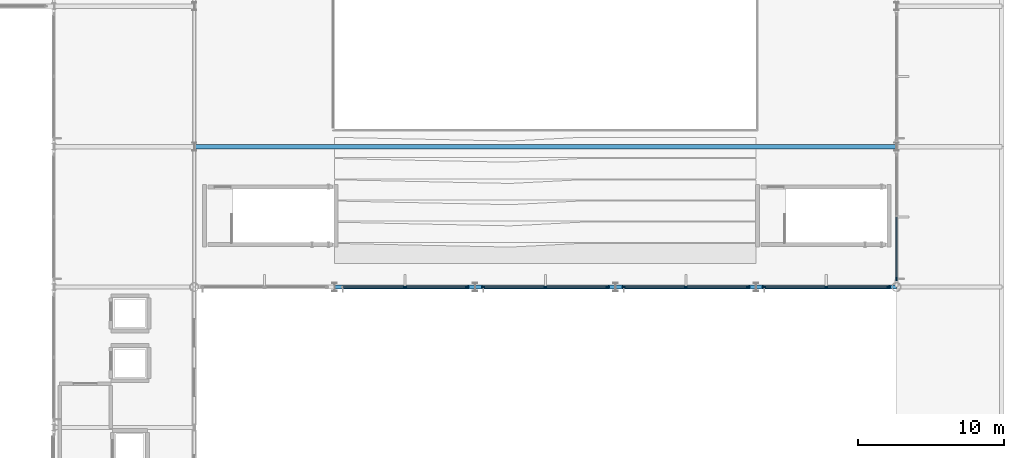
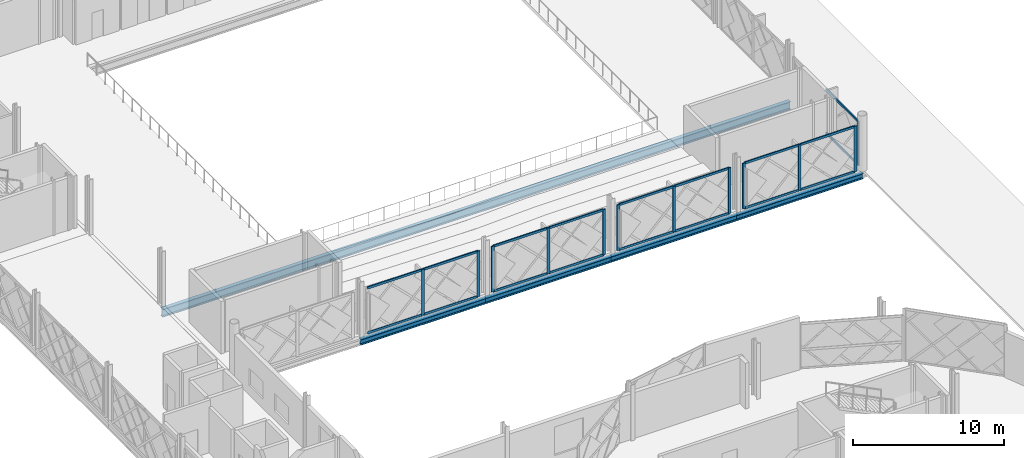
# One storey, part 55 of 101: 30 members, 5 beams, 5 elements without a shape of their own.
"""IFC4 building model written with IfcOpenShell, lengths in metres."""

from ifc_helpers import new_model, si_unit, direction, frame, origin, origin_2d, place, context, subcontext, project, spatial, rectangle, i_section, extrude, material, layer, layer_set, material_profile, profile_set, type_object, element, aggregate, save


model = new_model("IFC4")

# Units and contexts
model_context = context("Model", 3, precision=1e-05, world=origin(), true_north=direction((0.0, 1.0)))
body_context = subcontext(model_context, "Body", "Model", "MODEL_VIEW")
ifc_project = project(units=[si_unit("LENGTHUNIT", "METRE"), si_unit("AREAUNIT", "SQUARE_METRE"), si_unit("VOLUMEUNIT", "CUBIC_METRE"), si_unit("PLANEANGLEUNIT", "RADIAN"), si_unit("MASSUNIT", "GRAM", prefix="KILO")], contexts=[model_context])

# Site, building, storey
site_placement = place(None, origin())
site = spatial("IfcSite", under=ifc_project, at=site_placement, CompositionType="ELEMENT")
building_placement = place(site_placement, origin())
building = spatial("IfcBuilding", under=site, at=building_placement, Name="Zevrakil Square Congress Hotel", CompositionType="ELEMENT")
storey_placement = place(building_placement, frame((0.0, 0.0, 5.39990234375)))
storey = spatial("IfcBuildingStorey", under=building, at=storey_placement, Name="L02", CompositionType="ELEMENT", Elevation=5.39990234375)

# Beams
ifc_material_1 = material(Name="Steel S355", Category="steel")
ifc_material_profile_1 = material_profile(ifc_material_1, i_section(OverallWidth=0.300048828125, OverallDepth=0.43994140625, WebThickness=0.011474609375, FlangeThickness=0.02099609375, FilletRadius=0.027099609375, at=origin_2d()), Name="HEA 450")
ifc_profile_set_1 = profile_set([ifc_material_profile_1], Name="Steel S355")
beam_type_1 = type_object("IfcBeamType", Name="BM-HEA450", PredefinedType="BEAM", material=ifc_profile_set_1)
beam_1_placement = place(storey_placement, frame((127.199951171875, 64.800048828125, -0.47998046875), z_axis=(1.0, 0.0, 0.0), x_axis=(0.0, 1.0, 0.0)))
element("IfcBeam", 1, at=beam_1_placement, inside=storey, type_object=beam_type_1, Name="L02 primary girder BX-0755", PredefinedType="BEAM", context=body_context, shape_type="SweptSolid", body=[
    extrude(i_section(OverallWidth=0.300048828125, OverallDepth=0.43994140625, WebThickness=0.011474609375, FlangeThickness=0.02099609375, FilletRadius=0.027099609375, at=origin_2d()), origin(), (0.0, 0.0, 1.0), 9.60009765625),
])
beam_2_placement = place(storey_placement, frame((136.800048828125, 64.800048828125, -0.47998046875), z_axis=(1.0, 0.0, 0.0), x_axis=(0.0, 1.0, 0.0)))
element("IfcBeam", 2, at=beam_2_placement, inside=storey, type_object=beam_type_1, Name="L02 primary girder BX-0756", PredefinedType="BEAM", context=body_context, shape_type="SweptSolid", body=[
    extrude(i_section(OverallWidth=0.300048828125, OverallDepth=0.43994140625, WebThickness=0.011474609375, FlangeThickness=0.02099609375, FilletRadius=0.027099609375, at=origin_2d()), origin(), (0.0, 0.0, 1.0), 9.599853515625),
])
for number, where, z_axis, x_axis, name in (
    (3, (146.39990234375, 64.800048828125, -0.47998046875), (1.0, 0.0, 0.0), (0.0, 1.0, 0.0), "L02 primary girder BX-0757"),
    (4, (156.0, 64.800048828125, -0.47998046875), (1.0, 0.0, 0.0), (0.0, 1.0, 0.0), "L02 primary girder BX-0758"),
):
    element("IfcBeam", number, at=place(storey_placement, frame(where, z_axis=z_axis, x_axis=x_axis)), inside=storey, type_object=beam_type_1, Name=name, PredefinedType="BEAM", context=body_context, shape_type="SweptSolid", body=[
        extrude(i_section(OverallWidth=0.300048828125, OverallDepth=0.43994140625, WebThickness=0.011474609375, FlangeThickness=0.02099609375, FilletRadius=0.027099609375, at=origin_2d()), origin(), (0.0, 0.0, 1.0), 9.60009765625),
    ])
ifc_material_2 = material(Name="Steel S355", Category="steel")
ifc_material_profile_2 = material_profile(ifc_material_2, i_section(OverallWidth=0.300048828125, OverallDepth=0.64990234375, WebThickness=0.01611328125, FlangeThickness=0.031005859375, FilletRadius=0.027099609375, at=origin_2d()), Name="HEB 650")
ifc_profile_set_2 = profile_set([ifc_material_profile_2], Name="Steel S355")
beam_type_2 = type_object("IfcBeamType", Name="BM-HEB650", PredefinedType="BEAM", material=ifc_profile_set_2)
beam_3_placement = place(storey_placement, frame((117.60009765625, 74.39990234375, -0.5849609375), z_axis=(1.0, 0.0, 0.0), x_axis=(0.0, 1.0, 0.0)))
element("IfcBeam", 5, at=beam_3_placement, inside=storey, type_object=beam_type_2, Name="L02 congress hall long-span gallery girder 1", PredefinedType="BEAM", context=body_context, shape_type="SweptSolid", body=[
    extrude(i_section(OverallWidth=0.300048828125, OverallDepth=0.64990234375, WebThickness=0.01611328125, FlangeThickness=0.031005859375, FilletRadius=0.027099609375, at=origin_2d()), origin(), (0.0, 0.0, 1.0), 48.0),
])

# Curtain wall, members
ifc_material_3 = material(Name="Aluminium Anodised Bronze", Category="aluminium")
ifc_layer = layer(ifc_material_3, 0.179931640625)
ifc_layer_set = layer_set([ifc_layer], Name="Aluminium Anodised Bronze")
curtain_wall_type = type_object("IfcCurtainWallType", Name="CW-L02-840", PredefinedType="USERDEFINED", material=ifc_layer_set)
curtain_wall_1_placement = place(storey_placement, origin())
curtain_wall_1 = element("IfcCurtainWall", 6, at=curtain_wall_1_placement, inside=storey, type_object=curtain_wall_type, Name="L02 diamond curtain wall CW-L02-0049", ObjectType="GLAZED CURTAIN WALL", PredefinedType="USERDEFINED")
ifc_material_4 = material(Name="Aluminium Anodised Bronze", Category="aluminium")
ifc_material_profile_3 = material_profile(ifc_material_4, rectangle(XDim=0.0849609375, YDim=0.179931640625, at=origin_2d()), Name="ALU 85x180")
ifc_profile_set_3 = profile_set([ifc_material_profile_3], Name="Aluminium Anodised Bronze")
member_type_1 = type_object("IfcMemberType", Name="CWM-ALU85x180", PredefinedType="USERDEFINED", material=ifc_profile_set_3)
member_1_placement = place(storey_placement, frame((165.60009765625, 65.3798828125, 0.030029296875), z_axis=(0.0, 1.0, 0.0), x_axis=(-1.0, 0.0, 0.0)))
member_1 = element("IfcMember", 7, at=member_1_placement, type_object=member_type_1, Name="CW-23 transom 1.1", ObjectType="TRANSOM", PredefinedType="USERDEFINED", context=body_context, shape_type="SweptSolid", body=[
    extrude(rectangle(XDim=0.0849609375, YDim=0.179931640625, at=origin_2d()), origin(), (0.0, 0.0, 1.0), 4.190185546875),
])
member_2_placement = place(storey_placement, frame((165.60009765625, 65.3798828125, 3.545166015625), z_axis=(0.0, 1.0, 0.0), x_axis=(-1.0, 0.0, 0.0)))
member_2 = element("IfcMember", 8, at=member_2_placement, type_object=member_type_1, Name="CW-23 transom 1.2", ObjectType="TRANSOM", PredefinedType="USERDEFINED", context=body_context, shape_type="SweptSolid", body=[
    extrude(rectangle(XDim=0.0849609375, YDim=0.179931640625, at=origin_2d()), origin(), (0.0, 0.0, 1.0), 4.190185546875),
])

curtain_wall_2_placement = place(storey_placement, origin())
curtain_wall_2 = element("IfcCurtainWall", 9, at=curtain_wall_2_placement, inside=storey, type_object=curtain_wall_type, Name="L02 diamond curtain wall CW-L02-0059", ObjectType="GLAZED CURTAIN WALL", PredefinedType="USERDEFINED")
member_3_placement = place(storey_placement, frame((127.780029296875, 64.800048828125, 0.030029296875), z_axis=(1.0, 0.0, 0.0), x_axis=(0.0, 1.0, 0.0)))
member_3 = element("IfcMember", 10, at=member_3_placement, type_object=member_type_1, Name="CW-23 transom 1.1", ObjectType="TRANSOM", PredefinedType="USERDEFINED", context=body_context, shape_type="SweptSolid", body=[
    extrude(rectangle(XDim=0.0849609375, YDim=0.179931640625, at=origin_2d()), origin(), (0.0, 0.0, 1.0), 4.18994140625),
])
member_4_placement = place(storey_placement, frame((127.780029296875, 64.800048828125, 3.655029296875), z_axis=(1.0, 0.0, 0.0), x_axis=(0.0, 1.0, 0.0)))
member_4 = element("IfcMember", 11, at=member_4_placement, type_object=member_type_1, Name="CW-23 transom 1.2", ObjectType="TRANSOM", PredefinedType="USERDEFINED", context=body_context, shape_type="SweptSolid", body=[
    extrude(rectangle(XDim=0.0849609375, YDim=0.179931640625, at=origin_2d()), origin(), (0.0, 0.0, 1.0), 4.18994140625),
])
member_5_placement = place(storey_placement, frame((132.030029296875, 64.800048828125, 0.030029296875), z_axis=(1.0, 0.0, 0.0), x_axis=(0.0, 1.0, 0.0)))
member_5 = element("IfcMember", 12, at=member_5_placement, type_object=member_type_1, Name="CW-23 transom 2.1", ObjectType="TRANSOM", PredefinedType="USERDEFINED", context=body_context, shape_type="SweptSolid", body=[
    extrude(rectangle(XDim=0.0849609375, YDim=0.179931640625, at=origin_2d()), origin(), (0.0, 0.0, 1.0), 4.18994140625),
])
member_6_placement = place(storey_placement, frame((132.030029296875, 64.800048828125, 3.655029296875), z_axis=(1.0, 0.0, 0.0), x_axis=(0.0, 1.0, 0.0)))
member_6 = element("IfcMember", 13, at=member_6_placement, type_object=member_type_1, Name="CW-23 transom 2.2", ObjectType="TRANSOM", PredefinedType="USERDEFINED", context=body_context, shape_type="SweptSolid", body=[
    extrude(rectangle(XDim=0.0849609375, YDim=0.179931640625, at=origin_2d()), origin(), (0.0, 0.0, 1.0), 4.18994140625),
])

curtain_wall_3_placement = place(storey_placement, origin())
curtain_wall_3 = element("IfcCurtainWall", 14, at=curtain_wall_3_placement, inside=storey, type_object=curtain_wall_type, Name="L02 diamond curtain wall CW-L02-0061", ObjectType="GLAZED CURTAIN WALL", PredefinedType="USERDEFINED")
member_7_placement = place(storey_placement, frame((137.3798828125, 64.800048828125, 0.030029296875), z_axis=(1.0, 0.0, 0.0), x_axis=(0.0, 1.0, 0.0)))
member_7 = element("IfcMember", 15, at=member_7_placement, type_object=member_type_1, Name="CW-23 transom 1.1", ObjectType="TRANSOM", PredefinedType="USERDEFINED", context=body_context, shape_type="SweptSolid", body=[
    extrude(rectangle(XDim=0.0849609375, YDim=0.179931640625, at=origin_2d()), origin(), (0.0, 0.0, 1.0), 4.190185546875),
])
member_8_placement = place(storey_placement, frame((137.3798828125, 64.800048828125, 3.655029296875), z_axis=(1.0, 0.0, 0.0), x_axis=(0.0, 1.0, 0.0)))
member_8 = element("IfcMember", 16, at=member_8_placement, type_object=member_type_1, Name="CW-23 transom 1.2", ObjectType="TRANSOM", PredefinedType="USERDEFINED", context=body_context, shape_type="SweptSolid", body=[
    extrude(rectangle(XDim=0.0849609375, YDim=0.179931640625, at=origin_2d()), origin(), (0.0, 0.0, 1.0), 4.190185546875),
])
member_9_placement = place(storey_placement, frame((141.6298828125, 64.800048828125, 0.030029296875), z_axis=(1.0, 0.0, 0.0), x_axis=(0.0, 1.0, 0.0)))
member_9 = element("IfcMember", 17, at=member_9_placement, type_object=member_type_1, Name="CW-23 transom 2.1", ObjectType="TRANSOM", PredefinedType="USERDEFINED", context=body_context, shape_type="SweptSolid", body=[
    extrude(rectangle(XDim=0.0849609375, YDim=0.179931640625, at=origin_2d()), origin(), (0.0, 0.0, 1.0), 4.190185546875),
])
member_10_placement = place(storey_placement, frame((141.6298828125, 64.800048828125, 3.655029296875), z_axis=(1.0, 0.0, 0.0), x_axis=(0.0, 1.0, 0.0)))
member_10 = element("IfcMember", 18, at=member_10_placement, type_object=member_type_1, Name="CW-23 transom 2.2", ObjectType="TRANSOM", PredefinedType="USERDEFINED", context=body_context, shape_type="SweptSolid", body=[
    extrude(rectangle(XDim=0.0849609375, YDim=0.179931640625, at=origin_2d()), origin(), (0.0, 0.0, 1.0), 4.190185546875),
])

curtain_wall_4_placement = place(storey_placement, origin())
curtain_wall_4 = element("IfcCurtainWall", 19, at=curtain_wall_4_placement, inside=storey, type_object=curtain_wall_type, Name="L02 diamond curtain wall CW-L02-0063", ObjectType="GLAZED CURTAIN WALL", PredefinedType="USERDEFINED")
member_11_placement = place(storey_placement, frame((146.97998046875, 64.800048828125, 0.030029296875), z_axis=(1.0, 0.0, 0.0), x_axis=(0.0, 1.0, 0.0)))
member_11 = element("IfcMember", 20, at=member_11_placement, type_object=member_type_1, Name="CW-23 transom 1.1", ObjectType="TRANSOM", PredefinedType="USERDEFINED", context=body_context, shape_type="SweptSolid", body=[
    extrude(rectangle(XDim=0.0849609375, YDim=0.179931640625, at=origin_2d()), origin(), (0.0, 0.0, 1.0), 4.18994140625),
])
member_12_placement = place(storey_placement, frame((146.97998046875, 64.800048828125, 3.655029296875), z_axis=(1.0, 0.0, 0.0), x_axis=(0.0, 1.0, 0.0)))
member_12 = element("IfcMember", 21, at=member_12_placement, type_object=member_type_1, Name="CW-23 transom 1.2", ObjectType="TRANSOM", PredefinedType="USERDEFINED", context=body_context, shape_type="SweptSolid", body=[
    extrude(rectangle(XDim=0.0849609375, YDim=0.179931640625, at=origin_2d()), origin(), (0.0, 0.0, 1.0), 4.18994140625),
])
member_13_placement = place(storey_placement, frame((151.22998046875, 64.800048828125, 0.030029296875), z_axis=(1.0, 0.0, 0.0), x_axis=(0.0, 1.0, 0.0)))
member_13 = element("IfcMember", 22, at=member_13_placement, type_object=member_type_1, Name="CW-23 transom 2.1", ObjectType="TRANSOM", PredefinedType="USERDEFINED", context=body_context, shape_type="SweptSolid", body=[
    extrude(rectangle(XDim=0.0849609375, YDim=0.179931640625, at=origin_2d()), origin(), (0.0, 0.0, 1.0), 4.18994140625),
])
member_14_placement = place(storey_placement, frame((151.22998046875, 64.800048828125, 3.655029296875), z_axis=(1.0, 0.0, 0.0), x_axis=(0.0, 1.0, 0.0)))
member_14 = element("IfcMember", 23, at=member_14_placement, type_object=member_type_1, Name="CW-23 transom 2.2", ObjectType="TRANSOM", PredefinedType="USERDEFINED", context=body_context, shape_type="SweptSolid", body=[
    extrude(rectangle(XDim=0.0849609375, YDim=0.179931640625, at=origin_2d()), origin(), (0.0, 0.0, 1.0), 4.18994140625),
])

curtain_wall_5_placement = place(storey_placement, origin())
curtain_wall_5 = element("IfcCurtainWall", 24, at=curtain_wall_5_placement, inside=storey, type_object=curtain_wall_type, Name="L02 diamond curtain wall CW-L02-0065", ObjectType="GLAZED CURTAIN WALL", PredefinedType="USERDEFINED")
member_15_placement = place(storey_placement, frame((156.580078125, 64.800048828125, 0.030029296875), z_axis=(1.0, 0.0, 0.0), x_axis=(0.0, 1.0, 0.0)))
member_15 = element("IfcMember", 25, at=member_15_placement, type_object=member_type_1, Name="CW-23 transom 1.1", ObjectType="TRANSOM", PredefinedType="USERDEFINED", context=body_context, shape_type="SweptSolid", body=[
    extrude(rectangle(XDim=0.0849609375, YDim=0.179931640625, at=origin_2d()), origin(), (0.0, 0.0, 1.0), 4.18994140625),
])
member_16_placement = place(storey_placement, frame((156.580078125, 64.800048828125, 3.655029296875), z_axis=(1.0, 0.0, 0.0), x_axis=(0.0, 1.0, 0.0)))
member_16 = element("IfcMember", 26, at=member_16_placement, type_object=member_type_1, Name="CW-23 transom 1.2", ObjectType="TRANSOM", PredefinedType="USERDEFINED", context=body_context, shape_type="SweptSolid", body=[
    extrude(rectangle(XDim=0.0849609375, YDim=0.179931640625, at=origin_2d()), origin(), (0.0, 0.0, 1.0), 4.18994140625),
])
member_17_placement = place(storey_placement, frame((160.830078125, 64.800048828125, 0.030029296875), z_axis=(1.0, 0.0, 0.0), x_axis=(0.0, 1.0, 0.0)))
member_17 = element("IfcMember", 27, at=member_17_placement, type_object=member_type_1, Name="CW-23 transom 2.1", ObjectType="TRANSOM", PredefinedType="USERDEFINED", context=body_context, shape_type="SweptSolid", body=[
    extrude(rectangle(XDim=0.0849609375, YDim=0.179931640625, at=origin_2d()), origin(), (0.0, 0.0, 1.0), 4.18994140625),
])
member_18_placement = place(storey_placement, frame((160.830078125, 64.800048828125, 3.655029296875), z_axis=(1.0, 0.0, 0.0), x_axis=(0.0, 1.0, 0.0)))
member_18 = element("IfcMember", 28, at=member_18_placement, type_object=member_type_1, Name="CW-23 transom 2.2", ObjectType="TRANSOM", PredefinedType="USERDEFINED", context=body_context, shape_type="SweptSolid", body=[
    extrude(rectangle(XDim=0.0849609375, YDim=0.179931640625, at=origin_2d()), origin(), (0.0, 0.0, 1.0), 4.18994140625),
])

# Member
ifc_material_5 = material(Name="Aluminium Anodised Bronze", Category="aluminium")
ifc_material_profile_4 = material_profile(ifc_material_5, rectangle(XDim=0.0849609375, YDim=0.219970703125, at=origin_2d()), Name="ALU 85x220")
ifc_profile_set_4 = profile_set([ifc_material_profile_4], Name="Aluminium Anodised Bronze")
member_type_2 = type_object("IfcMemberType", Name="CWM-ALU85x220", PredefinedType="MULLION", material=ifc_profile_set_4)
member_19_placement = place(storey_placement, frame((165.60009765625, 65.35009765625, 0.0), z_axis=(0.0, 0.0, 1.0), x_axis=(-1.0, 0.0, 0.0)))
member_19 = element("IfcMember", 29, at=member_19_placement, type_object=member_type_2, Name="CW-23 mullion 1", PredefinedType="MULLION", context=body_context, shape_type="SweptSolid", body=[
    extrude(rectangle(XDim=0.0849609375, YDim=0.219970703125, at=origin_2d()), origin(), (0.0, 0.0, 1.0), 3.5751953125),
])

aggregate(curtain_wall_1, [member_19, member_1, member_2])

member_20_placement = place(storey_placement, frame((132.0, 64.800048828125, 0.0), z_axis=(0.0, 0.0, 1.0), x_axis=(0.0, 1.0, 0.0)))
member_20 = element("IfcMember", 30, at=member_20_placement, type_object=member_type_2, Name="CW-23 mullion 2", PredefinedType="MULLION", context=body_context, shape_type="SweptSolid", body=[
    extrude(rectangle(XDim=0.0849609375, YDim=0.219970703125, at=origin_2d()), origin(), (0.0, 0.0, 1.0), 3.68505859375),
])

member_21_placement = place(storey_placement, frame((136.25, 64.800048828125, 0.0), z_axis=(0.0, 0.0, 1.0), x_axis=(0.0, 1.0, 0.0)))
member_21 = element("IfcMember", 31, at=member_21_placement, type_object=member_type_2, Name="CW-23 mullion 3", PredefinedType="MULLION", context=body_context, shape_type="SweptSolid", body=[
    extrude(rectangle(XDim=0.0849609375, YDim=0.219970703125, at=origin_2d()), origin(), (0.0, 0.0, 1.0), 3.68505859375),
])

aggregate(curtain_wall_2, [member_20, member_21, member_3, member_4, member_5, member_6])

member_22_placement = place(storey_placement, frame((137.35009765625, 64.800048828125, 0.0), z_axis=(0.0, 0.0, 1.0), x_axis=(0.0, 1.0, 0.0)))
member_22 = element("IfcMember", 32, at=member_22_placement, type_object=member_type_2, Name="CW-23 mullion 1", PredefinedType="MULLION", context=body_context, shape_type="SweptSolid", body=[
    extrude(rectangle(XDim=0.0849609375, YDim=0.219970703125, at=origin_2d()), origin(), (0.0, 0.0, 1.0), 3.68505859375),
])

member_23_placement = place(storey_placement, frame((141.60009765625, 64.800048828125, 0.0), z_axis=(0.0, 0.0, 1.0), x_axis=(0.0, 1.0, 0.0)))
member_23 = element("IfcMember", 33, at=member_23_placement, type_object=member_type_2, Name="CW-23 mullion 2", PredefinedType="MULLION", context=body_context, shape_type="SweptSolid", body=[
    extrude(rectangle(XDim=0.0849609375, YDim=0.219970703125, at=origin_2d()), origin(), (0.0, 0.0, 1.0), 3.68505859375),
])

member_24_placement = place(storey_placement, frame((145.85009765625, 64.800048828125, 0.0), z_axis=(0.0, 0.0, 1.0), x_axis=(0.0, 1.0, 0.0)))
member_24 = element("IfcMember", 34, at=member_24_placement, type_object=member_type_2, Name="CW-23 mullion 3", PredefinedType="MULLION", context=body_context, shape_type="SweptSolid", body=[
    extrude(rectangle(XDim=0.0849609375, YDim=0.219970703125, at=origin_2d()), origin(), (0.0, 0.0, 1.0), 3.68505859375),
])

aggregate(curtain_wall_3, [member_22, member_23, member_24, member_7, member_8, member_9, member_10])

member_25_placement = place(storey_placement, frame((146.949951171875, 64.800048828125, 0.0), z_axis=(0.0, 0.0, 1.0), x_axis=(0.0, 1.0, 0.0)))
member_25 = element("IfcMember", 35, at=member_25_placement, type_object=member_type_2, Name="CW-23 mullion 1", PredefinedType="MULLION", context=body_context, shape_type="SweptSolid", body=[
    extrude(rectangle(XDim=0.0849609375, YDim=0.219970703125, at=origin_2d()), origin(), (0.0, 0.0, 1.0), 3.68505859375),
])

member_26_placement = place(storey_placement, frame((151.199951171875, 64.800048828125, 0.0), z_axis=(0.0, 0.0, 1.0), x_axis=(0.0, 1.0, 0.0)))
member_26 = element("IfcMember", 36, at=member_26_placement, type_object=member_type_2, Name="CW-23 mullion 2", PredefinedType="MULLION", context=body_context, shape_type="SweptSolid", body=[
    extrude(rectangle(XDim=0.0849609375, YDim=0.219970703125, at=origin_2d()), origin(), (0.0, 0.0, 1.0), 3.68505859375),
])

member_27_placement = place(storey_placement, frame((155.449951171875, 64.800048828125, 0.0), z_axis=(0.0, 0.0, 1.0), x_axis=(0.0, 1.0, 0.0)))
member_27 = element("IfcMember", 37, at=member_27_placement, type_object=member_type_2, Name="CW-23 mullion 3", PredefinedType="MULLION", context=body_context, shape_type="SweptSolid", body=[
    extrude(rectangle(XDim=0.0849609375, YDim=0.219970703125, at=origin_2d()), origin(), (0.0, 0.0, 1.0), 3.68505859375),
])

aggregate(curtain_wall_4, [member_25, member_26, member_27, member_11, member_12, member_13, member_14])

member_28_placement = place(storey_placement, frame((156.550048828125, 64.800048828125, 0.0), z_axis=(0.0, 0.0, 1.0), x_axis=(0.0, 1.0, 0.0)))
member_28 = element("IfcMember", 38, at=member_28_placement, type_object=member_type_2, Name="CW-23 mullion 1", PredefinedType="MULLION", context=body_context, shape_type="SweptSolid", body=[
    extrude(rectangle(XDim=0.0849609375, YDim=0.219970703125, at=origin_2d()), origin(), (0.0, 0.0, 1.0), 3.68505859375),
])

member_29_placement = place(storey_placement, frame((160.800048828125, 64.800048828125, 0.0), z_axis=(0.0, 0.0, 1.0), x_axis=(0.0, 1.0, 0.0)))
member_29 = element("IfcMember", 39, at=member_29_placement, type_object=member_type_2, Name="CW-23 mullion 2", PredefinedType="MULLION", context=body_context, shape_type="SweptSolid", body=[
    extrude(rectangle(XDim=0.0849609375, YDim=0.219970703125, at=origin_2d()), origin(), (0.0, 0.0, 1.0), 3.68505859375),
])

member_30_placement = place(storey_placement, frame((165.050048828125, 64.800048828125, 0.0), z_axis=(0.0, 0.0, 1.0), x_axis=(0.0, 1.0, 0.0)))
member_30 = element("IfcMember", 40, at=member_30_placement, type_object=member_type_2, Name="CW-23 mullion 3", PredefinedType="MULLION", context=body_context, shape_type="SweptSolid", body=[
    extrude(rectangle(XDim=0.0849609375, YDim=0.219970703125, at=origin_2d()), origin(), (0.0, 0.0, 1.0), 3.68505859375),
])

aggregate(curtain_wall_5, [member_28, member_29, member_30, member_15, member_16, member_17, member_18])

save(model, "model.ifc")
